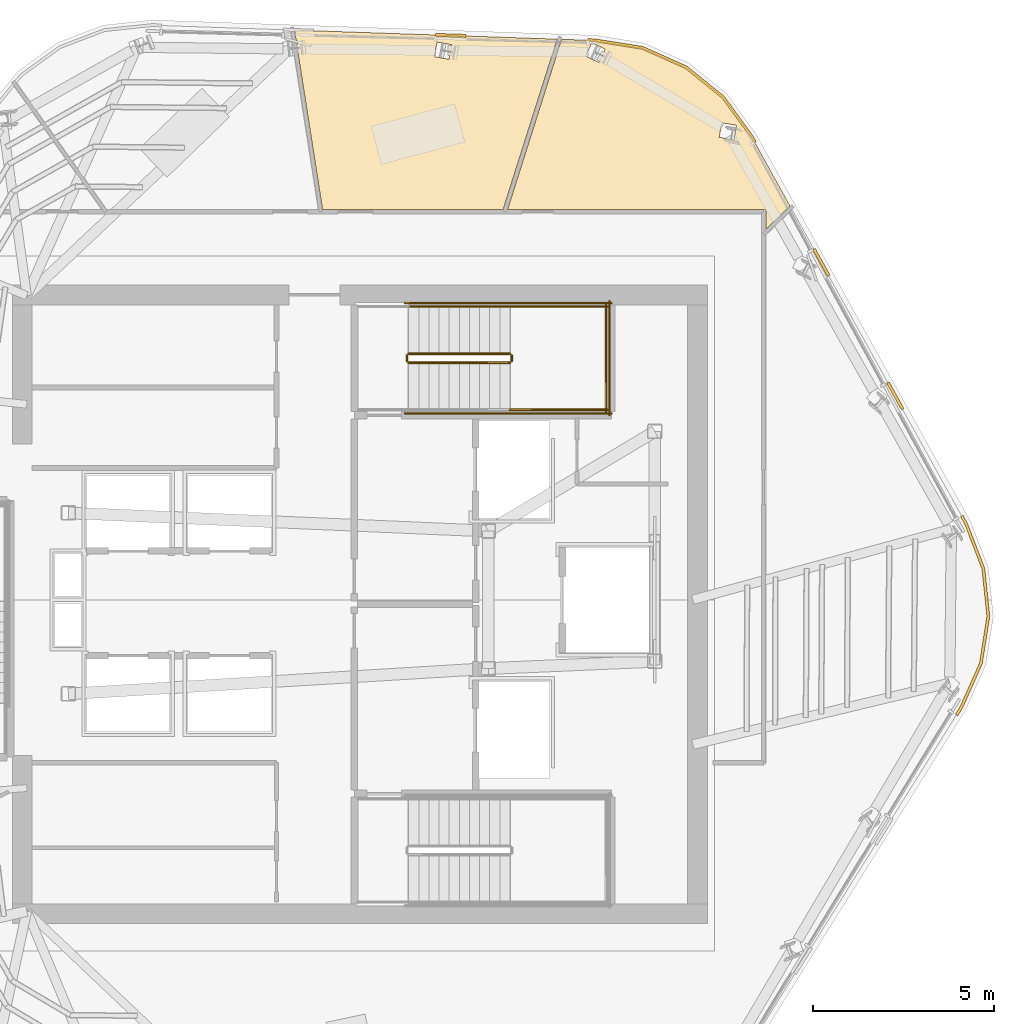
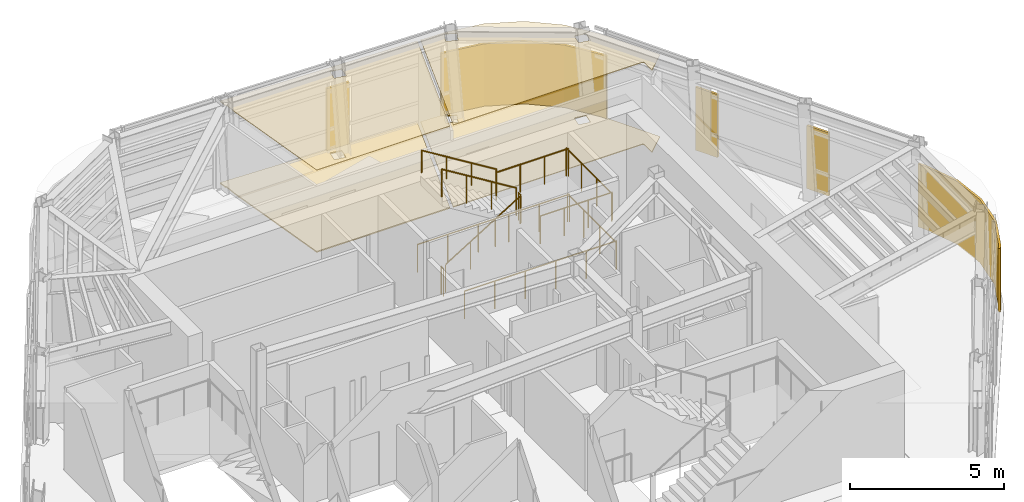
# One storey, part 12 of 13: 11 railings, 9 coverings.
"""IFC4 building model written with IfcOpenShell, lengths in metres."""

import ifcopenshell
import ifcopenshell.guid

model = None  # the IFC model being written
_history = None  # IfcOwnerHistory: only IFC2X3 demands one
_inside = {}  # id of a spatial element -> (the spatial element, [elements in it])
_under = {}  # id of a project, library or spatial element -> (it, [spatial elements below it])
_declared = {}  # id of a project -> (the project, [libraries it declares])
_typed = {}  # id of a type object -> (the type object, [elements of that type])
_made_of = {}  # id of a material, layer set ... -> (it, [elements and type objects made of it])


def new_model(schema):
    """Start an empty IFC model of exactly this schema.

    Asked for "IFC4X3", IfcOpenShell would pick the latest addendum, in which some entities
    have other attributes; the version numbers below select the first issue.
    IFC2X3 requires an IfcOwnerHistory on every rooted entity: one is made here for all.
    """
    global model, _history
    if schema == "IFC4X3":
        model = ifcopenshell.file(schema_version=(4, 3, 0, 0))
    else:
        model = ifcopenshell.file(schema=schema)
    _inside.clear()
    _under.clear()
    _declared.clear()
    _typed.clear()
    _made_of.clear()
    _history = None
    if model.schema == "IFC2X3":
        org = make("IfcOrganization", Name="unknown")
        user = make(
            "IfcPersonAndOrganization",
            ThePerson=make("IfcPerson", FamilyName="unknown"),
            TheOrganization=org,
        )
        app = make(
            "IfcApplication",
            ApplicationDeveloper=org,
            Version="unknown",
            ApplicationFullName="unknown",
            ApplicationIdentifier="unknown",
        )
        _history = make(
            "IfcOwnerHistory",
            OwningUser=user,
            OwningApplication=app,
            ChangeAction="ADDED",
            CreationDate=0,
        )
    return model


def make(cls, **values):
    """One entity of the class cls with the attributes given. An attribute that is None is left unset."""
    return model.create_entity(
        cls, **{name: value for name, value in values.items() if value is not None}
    )


def rooted(cls, **values):
    """An entity with a GlobalId (a new one), such as an element, a storey or a relation."""
    return make(cls, GlobalId=ifcopenshell.guid.new(), OwnerHistory=_history, **values)


def si_unit(unit_type, name, prefix=None):
    """IfcSIUnit, for example si_unit("LENGTHUNIT", "METRE", prefix="MILLI")."""
    return make("IfcSIUnit", UnitType=unit_type, Prefix=prefix, Name=name)


def assignment(units):
    """IfcUnitAssignment: the units of a project."""
    return None if units is None else make("IfcUnitAssignment", Units=units)


def point(xyz):
    """IfcCartesianPoint."""
    return None if xyz is None else make("IfcCartesianPoint", Coordinates=xyz)


def direction(xyz):
    """IfcDirection."""
    return None if xyz is None else make("IfcDirection", DirectionRatios=xyz)


def frame(location, z_axis=None, x_axis=None):
    """IfcAxis2Placement3D, a coordinate frame: its origin and axes. An axis left out is left unset."""
    return make(
        "IfcAxis2Placement3D",
        Location=point(location),
        Axis=direction(z_axis),
        RefDirection=direction(x_axis),
    )


def frame_2d(location, x_axis=None):
    """IfcAxis2Placement2D, a coordinate frame in the plane: its origin and x axis."""
    return make(
        "IfcAxis2Placement2D", Location=point(location), RefDirection=direction(x_axis)
    )


def origin():
    """The frame at (0, 0, 0) with its axes left unset."""
    return frame((0.0, 0.0, 0.0))


def origin_2d():
    """The frame at (0, 0) in the plane with its x axis left unset."""
    return frame_2d((0.0, 0.0))


def place(relative_to, where):
    """IfcLocalPlacement: puts the frame where relative to a parent placement (None: the world)."""
    return make(
        "IfcLocalPlacement", PlacementRelTo=relative_to, RelativePlacement=where
    )


def context(
    kind, dimensions, precision=None, world=None, true_north=None, identifier=None
):
    """IfcGeometricRepresentationContext, for example the 3D "Model" context."""
    return make(
        "IfcGeometricRepresentationContext",
        ContextIdentifier=identifier,
        ContextType=kind,
        CoordinateSpaceDimension=dimensions,
        Precision=precision,
        WorldCoordinateSystem=world,
        TrueNorth=true_north,
    )


def subcontext(parent, identifier, kind, view, scale=None):
    """IfcGeometricRepresentationSubContext, for example "Body" below "Model"."""
    return make(
        "IfcGeometricRepresentationSubContext",
        ContextIdentifier=identifier,
        ContextType=kind,
        ParentContext=parent,
        TargetScale=scale,
        TargetView=view,
    )


def project(units=None, contexts=None):
    """IfcProject with its units and contexts."""
    return rooted(
        "IfcProject",
        Name="project",
        RepresentationContexts=contexts,
        UnitsInContext=assignment(units),
    )


def spatial(cls, under=None, at=None, **own):
    """A site, building, storey or space (cls), placed at a placement, below another one or the project."""
    s = rooted(cls, ObjectPlacement=at, **own)
    if under is not None:
        _under.setdefault(under.id(), (under, []))[1].append(s)
    return s


def polyline(points):
    """IfcPolyline through the points."""
    return make("IfcPolyline", Points=[point(p) for p in points])


def profile(cls, at=None, kind="AREA", **sizes):
    """A parametric profile (cls). Its sizes go by their IFC names, for example OverallWidth=200.0."""
    return make(cls, ProfileType=kind, Position=at, **sizes)


def circle(**sizes):
    """IfcCircleProfileDef."""
    return profile("IfcCircleProfileDef", **sizes)


def outline(outer, holes=None, kind="AREA"):
    """IfcArbitraryClosedProfileDef: a profile drawn as a closed curve; with holes, ...WithVoids."""
    if holes is None:
        return make("IfcArbitraryClosedProfileDef", ProfileType=kind, OuterCurve=outer)
    return make(
        "IfcArbitraryProfileDefWithVoids",
        ProfileType=kind,
        OuterCurve=outer,
        InnerCurves=holes,
    )


def extrude(swept, where, along, depth):
    """IfcExtrudedAreaSolid: the profile swept, set in the frame where, extruded along a direction by depth."""
    return make(
        "IfcExtrudedAreaSolid",
        SweptArea=swept,
        Position=where,
        ExtrudedDirection=direction(along),
        Depth=depth,
    )


def shape(context_of_items, identifier, shape_type, items):
    """IfcShapeRepresentation: the items that make up one representation, for example the "Body"."""
    return make(
        "IfcShapeRepresentation",
        ContextOfItems=context_of_items,
        RepresentationIdentifier=identifier,
        RepresentationType=shape_type,
        Items=items,
    )


def material(Name=None, Category=None):
    """IfcMaterial."""
    return make("IfcMaterial", Name=Name, Category=Category)


def layer(
    of_material, thickness, ventilated=None, Name=None, Category=None, Priority=None
):
    """IfcMaterialLayer: one layer of a wall or slab, of a material (None: an air gap)."""
    return make(
        "IfcMaterialLayer",
        Material=of_material,
        LayerThickness=thickness,
        IsVentilated=ventilated,
        Name=Name,
        Category=Category,
        Priority=Priority,
    )


def layer_set(layers, Name=None):
    """IfcMaterialLayerSet."""
    return make("IfcMaterialLayerSet", MaterialLayers=layers, LayerSetName=Name)


def made_of(thing, what):
    """Note that an element or type object is made of a material, layer set ...; save() writes the relation."""
    if what is not None:
        _made_of.setdefault(what.id(), (what, []))[1].append(thing)
    return thing


def type_object(cls, material=None, **own):
    """A type object (cls), such as IfcWallType, which elements share."""
    return made_of(rooted(cls, **own), material)


def element(
    cls,
    number,
    at=None,
    inside=None,
    cuts=None,
    type_object=None,
    material=None,
    context=None,
    identifier="Body",
    shape_type=None,
    held_by="IfcProductDefinitionShape",
    body=None,
    shapes=None,
    **own,
):
    """One element of the class cls, such as IfcWall. Its Tag is "e" and its number.

    at: its placement. inside: the storey or other place that contains it. cuts: it is an
    opening in that element (IfcRelVoidsElement). A single representation is given by context,
    identifier, shape_type and body (its items); several are given by shapes. held_by: the class
    of the entity that holds the representations. save() writes the other relations.
    """
    e = rooted(cls, Tag="e%d" % number, ObjectPlacement=at, **own)
    if body is not None:
        shapes = [shape(context, identifier, shape_type, body)]
    if shapes is not None:
        e.Representation = make(held_by, Representations=shapes)
    if inside is not None:
        _inside.setdefault(inside.id(), (inside, []))[1].append(e)
    if cuts is not None:
        rooted(
            "IfcRelVoidsElement", RelatingBuildingElement=cuts, RelatedOpeningElement=e
        )
    if type_object is not None:
        _typed.setdefault(type_object.id(), (type_object, []))[1].append(e)
    return made_of(e, material)


def aggregate(whole, parts):
    """IfcRelAggregates: a whole, such as a stair, and the parts it consists of."""
    return rooted("IfcRelAggregates", RelatingObject=whole, RelatedObjects=parts)


def save(model, path):
    """Write the relations noted so far, then the file.

    IfcRelAggregates (storeys below a building ...), IfcRelContainedInSpatialStructure (elements
    in a storey), IfcRelDefinesByType, IfcRelAssociatesMaterial and IfcRelDeclares: one each for
    every whole, place, type object, material and project.
    """
    for whole, parts in _under.values():
        aggregate(whole, parts)
    for where, things in _inside.values():
        rooted(
            "IfcRelContainedInSpatialStructure",
            RelatedElements=things,
            RelatingStructure=where,
        )
    for kind, things in _typed.values():
        rooted("IfcRelDefinesByType", RelatedObjects=things, RelatingType=kind)
    for what, things in _made_of.values():
        rooted("IfcRelAssociatesMaterial", RelatedObjects=things, RelatingMaterial=what)
    for by, libraries in _declared.values():
        rooted("IfcRelDeclares", RelatingContext=by, RelatedDefinitions=libraries)
    model.write(path)


model = new_model("IFC4")

# Units and contexts
model_context = context("Model", 3, precision=1e-05, world=origin(), true_north=direction((0.0, 1.0)))
body_context = subcontext(model_context, "Body", "Model", "MODEL_VIEW")
ifc_project = project(units=[si_unit("LENGTHUNIT", "METRE"), si_unit("AREAUNIT", "SQUARE_METRE"), si_unit("VOLUMEUNIT", "CUBIC_METRE"), si_unit("PLANEANGLEUNIT", "RADIAN"), si_unit("MASSUNIT", "GRAM", prefix="KILO")], contexts=[model_context])

# Site, building, storey
site_placement = place(None, origin())
site = spatial("IfcSite", under=ifc_project, at=site_placement, CompositionType="ELEMENT")
building_placement = place(site_placement, origin())
building = spatial("IfcBuilding", under=site, at=building_placement, Name="Valkerne Bourse Tower", CompositionType="ELEMENT")
storey_placement = place(building_placement, frame((0.0, 0.0, 277.39990234375)))
storey = spatial("IfcBuildingStorey", under=building, at=storey_placement, Name="L70", CompositionType="ELEMENT", Elevation=277.39990234375)

# Coverings
ifc_material_1 = material(Name="Mineral Fiber Acoustic Ceiling Tile", Category="acoustic")
ifc_layer_1 = layer(ifc_material_1, 0.02490234375)
ifc_layer_set_1 = layer_set([ifc_layer_1], Name="Mineral Fiber Acoustic Ceiling Tile")
covering_type_1 = type_object("IfcCoveringType", Name="COV-CEIL-ACT", PredefinedType="CEILING", material=ifc_layer_set_1)
covering_1_placement = place(storey_placement, frame((0.0, 0.0, 3.25)))
element("IfcCovering", 1, at=covering_1_placement, inside=storey, type_object=covering_type_1, Name="L70 Suspended Ceiling 04", PredefinedType="CEILING", context=body_context, shape_type="SweptSolid", body=[
    extrude(outline(polyline([(55.813232421875, 41.70849609375), (56.838623046875, 40.8779296875), (57.620361328125, 39.802001953125), (58.68505859375, 37.87890625), (58.01904296875, 37.24169921875), (58.018310546875, 37.72998046875), (57.996826171875, 37.77099609375), (57.95458984375, 37.788818359375), (50.884521484375, 37.7890625), (52.373779296875, 42.484619140625), (53.29443359375, 42.452880859375), (54.60791015625, 42.2451171875), (55.813232421875, 41.70849609375)]), holes=[polyline([(57.203857421875, 40.108642578125), (56.801513671875, 40.17919921875), (56.73046875, 39.77880859375), (56.732421875, 39.77734375), (57.134765625, 39.706787109375), (57.205810546875, 40.107177734375), (57.203857421875, 40.108642578125)]), polyline([(53.214111328125, 42.38818359375), (53.2119140625, 42.389404296875), (53.0380859375, 42.018798828125), (53.40576171875, 41.84619140625), (53.407958984375, 41.845458984375), (53.58154296875, 42.216064453125), (53.214111328125, 42.38818359375)])]), origin(), (0.0, 0.0, 1.0), 0.025146484375),
])
covering_2_placement = place(storey_placement, frame((0.0, 0.0, 3.25)))
element("IfcCovering", 2, at=covering_2_placement, inside=storey, type_object=covering_type_1, Name="L70 Suspended Ceiling 05", PredefinedType="CEILING", context=body_context, shape_type="SweptSolid", body=[
    extrude(outline(polyline([(45.770263671875, 37.7890625), (45.104736328125, 42.038818359375), (45.106689453125, 42.0390625), (45.10888671875, 42.039306640625), (45.07080078125, 42.44677734375), (45.041259765625, 42.444091796875), (44.9951171875, 42.73876953125), (52.25146484375, 42.489013671875), (50.760498046875, 37.7890625), (45.770263671875, 37.7890625)]), holes=[polyline([(49.336181640625, 42.3349609375), (48.93701171875, 42.40869140625), (48.934814453125, 42.408935546875), (48.860595703125, 42.00634765625), (49.259765625, 41.9326171875), (49.261962890625, 41.932373046875), (49.336181640625, 42.3349609375)])]), origin(), (0.0, 0.0, 1.0), 0.025146484375),
])
ifc_material_2 = material(Name="Bronze Anodised Aluminium AA 6063-T6", Category="aluminium")
ifc_layer_2 = layer(ifc_material_2, 0.06005859375)
ifc_layer_set_2 = layer_set([ifc_layer_2], Name="Bronze Anodised Aluminium AA 6063-T6")
covering_type_2 = type_object("IfcCoveringType", Name="COV-CRN-ALUM", PredefinedType="CLADDING", material=ifc_layer_set_2)
covering_3_placement = place(storey_placement, origin())
element("IfcCovering", 3, at=covering_3_placement, inside=storey, type_object=covering_type_2, Name="L70 Wind-Shaped Corner Aluminium Cladding 01", PredefinedType="CLADDING", context=body_context, shape_type="SweptSolid", body=[
    extrude(outline(polyline([(64.06640625, 27.8681640625), (64.20556640625, 26.544189453125), (63.997314453125, 25.2294921875), (63.453369140625, 24.0078125), (63.31982421875, 23.7939453125), (63.251708984375, 23.835693359375), (63.382568359375, 24.04541015625), (63.919921875, 25.25244140625), (64.124755859375, 26.54638671875), (63.98779296875, 27.84912109375), (63.514404296875, 29.082763671875), (63.394775390625, 29.298828125), (63.465087890625, 29.3369140625), (63.5869140625, 29.11669921875), (64.06640625, 27.8681640625)])), origin(), (0.0, 0.0, 1.0), 2.5),
])
covering_4_placement = place(storey_placement, origin())
element("IfcCovering", 4, at=covering_4_placement, inside=storey, type_object=covering_type_2, Name="L70 Wind-Shaped Corner Aluminium Cladding 15", PredefinedType="CLADDING", context=body_context, shape_type="SweptSolid", body=[
    extrude(outline(polyline([(49.73583984375, 42.61962890625), (49.73388671875, 42.53955078125), (48.894287109375, 42.568603515625), (48.896240234375, 42.6484375), (49.73583984375, 42.61962890625)])), origin(), (0.0, 0.0, 1.0), 2.5),
])
covering_5_placement = place(storey_placement, origin())
element("IfcCovering", 5, at=covering_5_placement, inside=storey, type_object=covering_type_2, Name="L70 Wind-Shaped Corner Aluminium Cladding 16", PredefinedType="CLADDING", context=body_context, shape_type="SweptSolid", body=[
    extrude(outline(polyline([(53.298583984375, 42.496826171875), (54.620361328125, 42.28759765625), (55.83642578125, 41.74609375), (56.870849609375, 40.908447265625), (57.657470703125, 39.82568359375), (57.7509765625, 39.656982421875), (57.6806640625, 39.618896484375), (57.58984375, 39.78271484375), (56.8125, 40.852783203125), (55.794189453125, 41.677490234375), (54.597412109375, 42.210205078125), (53.291015625, 42.4169921875), (53.10400390625, 42.423583984375), (53.10595703125, 42.50341796875), (53.298583984375, 42.496826171875)])), origin(), (0.0, 0.0, 1.0), 2.5),
])
covering_6_placement = place(storey_placement, origin())
element("IfcCovering", 6, at=covering_6_placement, inside=storey, type_object=covering_type_2, Name="L70 Wind-Shaped Corner Aluminium Cladding 17", PredefinedType="CLADDING", context=body_context, shape_type="SweptSolid", body=[
    extrude(outline(polyline([(59.791259765625, 35.97216796875), (59.720947265625, 35.933837890625), (59.31396484375, 36.668701171875), (59.38427734375, 36.70703125), (59.791259765625, 35.97216796875)])), origin(), (0.0, 0.0, 1.0), 2.5),
])
covering_7_placement = place(storey_placement, origin())
element("IfcCovering", 7, at=covering_7_placement, inside=storey, type_object=covering_type_2, Name="L70 Wind-Shaped Corner Aluminium Cladding 18", PredefinedType="CLADDING", context=body_context, shape_type="SweptSolid", body=[
    extrude(outline(polyline([(61.83154296875, 32.287109375), (61.76123046875, 32.248779296875), (61.354248046875, 32.98388671875), (61.4248046875, 33.02197265625), (61.83154296875, 32.287109375)])), origin(), (0.0, 0.0, 1.0), 2.5),
])
ifc_material_3 = material(Name="Galvanised Painted Steel", Category="steel")
ifc_layer_3 = layer(ifc_material_3, 0.044921875)
ifc_layer_set_3 = layer_set([ifc_layer_3], Name="Galvanised Painted Steel")
covering_type_3 = type_object("IfcCoveringType", Name="COV-FLR-RAF", PredefinedType="FLOORING", material=ifc_layer_set_3)
covering_8_placement = place(storey_placement, origin())
element("IfcCovering", 8, at=covering_8_placement, inside=storey, type_object=covering_type_3, Name="L70 Floor Finish 05", PredefinedType="FLOORING", context=body_context, shape_type="SweptSolid", body=[
    extrude(outline(polyline([(45.770263671875, 37.7890625), (45.104736328125, 42.038818359375), (45.106689453125, 42.0390625), (45.10888671875, 42.039306640625), (45.07080078125, 42.44677734375), (45.041259765625, 42.444091796875), (44.9951171875, 42.73876953125), (52.25146484375, 42.489013671875), (50.760498046875, 37.7890625), (45.770263671875, 37.7890625)]), holes=[polyline([(49.336181640625, 42.3349609375), (48.93701171875, 42.40869140625), (48.934814453125, 42.408935546875), (48.860595703125, 42.00634765625), (49.259765625, 41.9326171875), (49.261962890625, 41.932373046875), (49.336181640625, 42.3349609375)])]), origin(), (0.0, 0.0, 1.0), 0.045166015625),
])
ifc_material_4 = material(Name="Polished Granite Stone", Category="masonry")
ifc_layer_4 = layer(ifc_material_4, 0.030029296875)
ifc_layer_set_4 = layer_set([ifc_layer_4], Name="Polished Granite Stone")
covering_type_4 = type_object("IfcCoveringType", Name="COV-FLR-TERRAZZO", PredefinedType="FLOORING", material=ifc_layer_set_4)
covering_9_placement = place(storey_placement, origin())
element("IfcCovering", 9, at=covering_9_placement, inside=storey, type_object=covering_type_4, Name="L70 Floor Finish 04", PredefinedType="FLOORING", context=body_context, shape_type="SweptSolid", body=[
    extrude(outline(polyline([(55.813232421875, 41.70849609375), (56.838623046875, 40.8779296875), (57.620361328125, 39.802001953125), (58.68505859375, 37.87890625), (58.01904296875, 37.24169921875), (58.018310546875, 37.72998046875), (57.996826171875, 37.77099609375), (57.95458984375, 37.788818359375), (50.884521484375, 37.7890625), (52.373779296875, 42.484619140625), (53.29443359375, 42.452880859375), (54.60791015625, 42.2451171875), (55.813232421875, 41.70849609375)]), holes=[polyline([(57.203857421875, 40.108642578125), (56.801513671875, 40.17919921875), (56.73046875, 39.77880859375), (56.732421875, 39.77734375), (57.134765625, 39.706787109375), (57.205810546875, 40.107177734375), (57.203857421875, 40.108642578125)]), polyline([(53.214111328125, 42.38818359375), (53.2119140625, 42.389404296875), (53.0380859375, 42.018798828125), (53.40576171875, 41.84619140625), (53.407958984375, 41.845458984375), (53.58154296875, 42.216064453125), (53.214111328125, 42.38818359375)])]), origin(), (0.0, 0.0, 1.0), 0.030029296875),
])

# Railings
railing_type_1 = type_object("IfcRailingType", Name="RLG-ST-GUARD-1120", PredefinedType="GUARDRAIL", material=ifc_material_3)
railing_1_placement = place(storey_placement, frame((48.14990234375, 33.550048828125, 0.1728515625)))
element("IfcRailing", 10, at=railing_1_placement, inside=storey, type_object=railing_type_1, Name="L70 ST-2 stair guard 1", PredefinedType="GUARDRAIL", context=body_context, shape_type="SweptSolid", body=[
    extrude(circle(Radius=0.02392578125, at=origin_2d()), frame((0.0, 0.0, 1.09619140625), z_axis=(0.851089632645, 0.0, 0.525020415988), x_axis=(0.0, 1.0, 0.0)), (0.0, 0.0, 1.0), 3.2900390625),
    extrude(circle(Radius=0.02099609375, at=origin_2d()), origin(), (0.0, 0.0, 1.0), 1.072021484375),
    extrude(circle(Radius=0.02099609375, at=origin_2d()), frame((0.933349609375, 0.0, 0.57568359375)), (0.0, 0.0, 1.0), 1.072021484375),
    extrude(circle(Radius=0.02099609375, at=origin_2d()), frame((1.86669921875, 0.0, 1.151611328125)), (0.0, 0.0, 1.0), 1.072021484375),
    extrude(circle(Radius=0.02099609375, at=origin_2d()), frame((2.800048828125, 0.0, 1.727294921875)), (0.0, 0.0, 1.0), 1.072021484375),
])
railing_2_placement = place(storey_placement, frame((51.0, 33.60009765625, 1.900146484375)))
element("IfcRailing", 11, at=railing_2_placement, inside=storey, type_object=railing_type_1, Name="L70 ST-2 stair guard 2", PredefinedType="GUARDRAIL", context=body_context, shape_type="SweptSolid", body=[
    extrude(circle(Radius=0.02392578125, at=origin_2d()), frame((0.0, 0.0, 1.09619140625), z_axis=(0.0, 1.0, 0.0), x_axis=(-1.0, 0.0, 0.0)), (0.0, 0.0, 1.0), 0.14990234375),
    extrude(circle(Radius=0.02099609375, at=origin_2d()), origin(), (0.0, 0.0, 1.0), 1.072021484375),
    extrude(circle(Radius=0.02099609375, at=origin_2d()), frame((0.0, 0.14990234375, 0.0)), (0.0, 0.0, 1.0), 1.072021484375),
])
for number, where, name in (
    (12, (50.949951171875, 32.25, 1.900146484375), "L70 ST-2 stair guard 3"),
    (13, (50.949951171875, 35.10009765625, 1.900146484375), "L70 ST-2 stair guard 4"),
):
    element("IfcRailing", number, at=place(storey_placement, frame(where)), inside=storey, type_object=railing_type_1, Name=name, PredefinedType="GUARDRAIL", context=body_context, shape_type="SweptSolid", body=[
        extrude(circle(Radius=0.02392578125, at=origin_2d()), frame((0.0, 0.0, 1.09619140625), z_axis=(1.0, 0.0, 0.0), x_axis=(0.0, 1.0, 0.0)), (0.0, 0.0, 1.0), 2.699951171875),
        extrude(circle(Radius=0.02099609375, at=origin_2d()), origin(), (0.0, 0.0, 1.0), 1.072021484375),
        extrude(circle(Radius=0.02099609375, at=origin_2d()), frame((0.89990234375, 0.0, 0.0)), (0.0, 0.0, 1.0), 1.072021484375),
        extrude(circle(Radius=0.02099609375, at=origin_2d()), frame((1.800048828125, 0.0, 0.0)), (0.0, 0.0, 1.0), 1.072021484375),
        extrude(circle(Radius=0.02099609375, at=origin_2d()), frame((2.699951171875, 0.0, 0.0)), (0.0, 0.0, 1.0), 1.072021484375),
    ])
railing_3_placement = place(storey_placement, frame((53.60009765625, 32.199951171875, 1.900146484375)))
element("IfcRailing", 14, at=railing_3_placement, inside=storey, type_object=railing_type_1, Name="L70 ST-2 stair guard 5", PredefinedType="GUARDRAIL", context=body_context, shape_type="SweptSolid", body=[
    extrude(circle(Radius=0.02392578125, at=origin_2d()), frame((0.0, 0.0, 1.09619140625), z_axis=(0.0, 1.0, 0.0), x_axis=(-1.0, 0.0, 0.0)), (0.0, 0.0, 1.0), 2.949951171875),
    extrude(circle(Radius=0.02099609375, at=origin_2d()), origin(), (0.0, 0.0, 1.0), 1.072021484375),
    extrude(circle(Radius=0.02099609375, at=origin_2d()), frame((0.0, 0.9833984375, 0.0)), (0.0, 0.0, 1.0), 1.072021484375),
    extrude(circle(Radius=0.02099609375, at=origin_2d()), frame((0.0, 1.966552734375, 0.0)), (0.0, 0.0, 1.0), 1.072021484375),
    extrude(circle(Radius=0.02099609375, at=origin_2d()), frame((0.0, 2.949951171875, 0.0)), (0.0, 0.0, 1.0), 1.072021484375),
])
railing_4_placement = place(storey_placement, frame((50.949951171875, 33.800048828125, 2.07275390625)))
element("IfcRailing", 15, at=railing_4_placement, inside=storey, type_object=railing_type_1, Name="L70 ST-2 stair guard 6", PredefinedType="GUARDRAIL", context=body_context, shape_type="SweptSolid", body=[
    extrude(circle(Radius=0.02392578125, at=origin_2d()), frame((0.0, 0.0, 1.09619140625), z_axis=(-0.851089632645, 0.0, 0.525020415988), x_axis=(0.0, -1.0, 0.0)), (0.0, 0.0, 1.0), 3.2900390625),
    extrude(circle(Radius=0.02099609375, at=origin_2d()), origin(), (0.0, 0.0, 1.0), 1.072021484375),
    extrude(circle(Radius=0.02099609375, at=origin_2d()), frame((-0.933349609375, 0.0, 0.57568359375)), (0.0, 0.0, 1.0), 1.072021484375),
    extrude(circle(Radius=0.02099609375, at=origin_2d()), frame((-1.86669921875, 0.0, 1.151611328125)), (0.0, 0.0, 1.0), 1.072021484375),
    extrude(circle(Radius=0.02099609375, at=origin_2d()), frame((-2.800048828125, 0.0, 1.727294921875)), (0.0, 0.0, 1.0), 1.072021484375),
])
railing_5_placement = place(storey_placement, frame((48.10009765625, 33.60009765625, 0.0)))
element("IfcRailing", 16, at=railing_5_placement, inside=storey, type_object=railing_type_1, Name="L70 ST-2 stair guard 7", PredefinedType="GUARDRAIL", context=body_context, shape_type="SweptSolid", body=[
    extrude(circle(Radius=0.02392578125, at=origin_2d()), frame((0.0, 0.0, 1.09619140625), z_axis=(0.0, 1.0, 0.0), x_axis=(-1.0, 0.0, 0.0)), (0.0, 0.0, 1.0), 0.14990234375),
    extrude(circle(Radius=0.02099609375, at=origin_2d()), origin(), (0.0, 0.0, 1.0), 1.072021484375),
    extrude(circle(Radius=0.02099609375, at=origin_2d()), frame((0.0, 0.14990234375, 0.0)), (0.0, 0.0, 1.0), 1.072021484375),
])
for number, where, name in (
    (17, (48.050048828125, 32.14990234375, 0.0), "L70 ST-2 stair guard 10"),
    (18, (48.050048828125, 35.199951171875, 0.0), "L70 ST-2 stair guard 11"),
):
    element("IfcRailing", number, at=place(storey_placement, frame(where)), inside=storey, type_object=railing_type_1, Name=name, PredefinedType="GUARDRAIL", context=body_context, shape_type="SweptSolid", body=[
        extrude(circle(Radius=0.02392578125, at=origin_2d()), frame((0.0, 0.0, 1.09619140625), z_axis=(1.0, 0.0, 0.0), x_axis=(0.0, 1.0, 0.0)), (0.0, 0.0, 1.0), 5.699951171875),
        extrude(circle(Radius=0.02099609375, at=origin_2d()), origin(), (0.0, 0.0, 1.0), 1.072021484375),
        extrude(circle(Radius=0.02099609375, at=origin_2d()), frame((1.139892578125, 0.0, 0.0)), (0.0, 0.0, 1.0), 1.072021484375),
        extrude(circle(Radius=0.02099609375, at=origin_2d()), frame((2.280029296875, 0.0, 0.0)), (0.0, 0.0, 1.0), 1.072021484375),
        extrude(circle(Radius=0.02099609375, at=origin_2d()), frame((3.419921875, 0.0, 0.0)), (0.0, 0.0, 1.0), 1.072021484375),
        extrude(circle(Radius=0.02099609375, at=origin_2d()), frame((4.56005859375, 0.0, 0.0)), (0.0, 0.0, 1.0), 1.072021484375),
        extrude(circle(Radius=0.02099609375, at=origin_2d()), frame((5.699951171875, 0.0, 0.0)), (0.0, 0.0, 1.0), 1.072021484375),
    ])
railing_6_placement = place(storey_placement, frame((53.699951171875, 32.10009765625, 0.0)))
element("IfcRailing", 19, at=railing_6_placement, inside=storey, type_object=railing_type_1, Name="L70 ST-2 stair guard 12", PredefinedType="GUARDRAIL", context=body_context, shape_type="SweptSolid", body=[
    extrude(circle(Radius=0.02392578125, at=origin_2d()), frame((0.0, 0.0, 1.09619140625), z_axis=(0.0, 1.0, 0.0), x_axis=(-1.0, 0.0, 0.0)), (0.0, 0.0, 1.0), 3.14990234375),
    extrude(circle(Radius=0.02099609375, at=origin_2d()), origin(), (0.0, 0.0, 1.0), 1.072021484375),
    extrude(circle(Radius=0.02099609375, at=origin_2d()), frame((0.0, 1.050048828125, 0.0)), (0.0, 0.0, 1.0), 1.072021484375),
    extrude(circle(Radius=0.02099609375, at=origin_2d()), frame((0.0, 2.099853515625, 0.0)), (0.0, 0.0, 1.0), 1.072021484375),
    extrude(circle(Radius=0.02099609375, at=origin_2d()), frame((0.0, 3.14990234375, 0.0)), (0.0, 0.0, 1.0), 1.072021484375),
])
ifc_material_5 = material(Name="Stainless Steel AISI 316", Category="steel")
railing_type_2 = type_object("IfcRailingType", Name="RLG-ST-HANDRAIL-900", PredefinedType="HANDRAIL", material=ifc_material_5)
railing_7_placement = place(storey_placement, frame((50.949951171875, 35.10009765625, 2.24560546875)))
element("IfcRailing", 20, at=railing_7_placement, inside=storey, type_object=railing_type_2, Name="L70 ST-2 stair handrail 2", PredefinedType="HANDRAIL", context=body_context, shape_type="SweptSolid", body=[
    extrude(circle(Radius=0.02392578125, at=origin_2d()), frame((0.0, 0.0, 0.8759765625), z_axis=(-0.851089632645, 0.0, 0.525020415988), x_axis=(0.0, -1.0, 0.0)), (0.0, 0.0, 1.0), 3.2900390625),
    extrude(circle(Radius=0.02099609375, at=origin_2d()), origin(), (0.0, 0.0, 1.0), 0.851806640625),
    extrude(circle(Radius=0.02099609375, at=origin_2d()), frame((-0.933349609375, 0.0, 0.57568359375)), (0.0, 0.0, 1.0), 0.851806640625),
    extrude(circle(Radius=0.02099609375, at=origin_2d()), frame((-1.86669921875, 0.0, 1.151611328125)), (0.0, 0.0, 1.0), 0.851806640625),
    extrude(circle(Radius=0.02099609375, at=origin_2d()), frame((-2.800048828125, 0.0, 1.727294921875)), (0.0, 0.0, 1.0), 0.851806640625),
])

save(model, "model.ifc")
